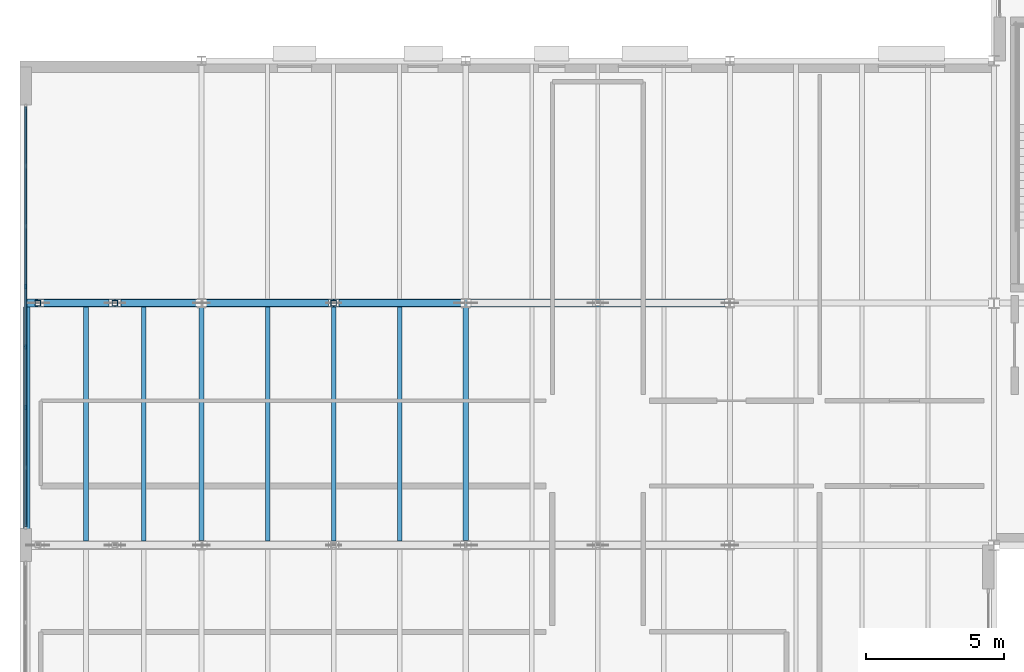
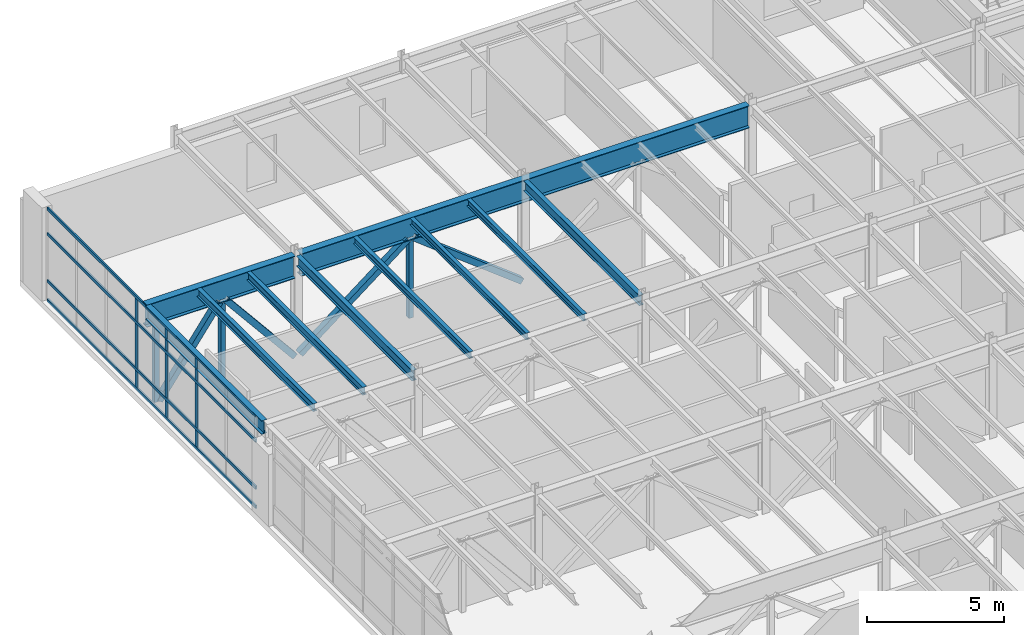
# One storey, part 32 of 88: 14 members, 10 beams, 1 element without a shape of its own.
"""IFC4 building model written with IfcOpenShell, lengths in metres."""

import ifcopenshell
import ifcopenshell.guid

model = None  # the IFC model being written
_history = None  # IfcOwnerHistory: only IFC2X3 demands one
_inside = {}  # id of a spatial element -> (the spatial element, [elements in it])
_under = {}  # id of a project, library or spatial element -> (it, [spatial elements below it])
_declared = {}  # id of a project -> (the project, [libraries it declares])
_typed = {}  # id of a type object -> (the type object, [elements of that type])
_made_of = {}  # id of a material, layer set ... -> (it, [elements and type objects made of it])


def new_model(schema):
    """Start an empty IFC model of exactly this schema.

    Asked for "IFC4X3", IfcOpenShell would pick the latest addendum, in which some entities
    have other attributes; the version numbers below select the first issue.
    IFC2X3 requires an IfcOwnerHistory on every rooted entity: one is made here for all.
    """
    global model, _history
    if schema == "IFC4X3":
        model = ifcopenshell.file(schema_version=(4, 3, 0, 0))
    else:
        model = ifcopenshell.file(schema=schema)
    _inside.clear()
    _under.clear()
    _declared.clear()
    _typed.clear()
    _made_of.clear()
    _history = None
    if model.schema == "IFC2X3":
        org = make("IfcOrganization", Name="unknown")
        user = make(
            "IfcPersonAndOrganization",
            ThePerson=make("IfcPerson", FamilyName="unknown"),
            TheOrganization=org,
        )
        app = make(
            "IfcApplication",
            ApplicationDeveloper=org,
            Version="unknown",
            ApplicationFullName="unknown",
            ApplicationIdentifier="unknown",
        )
        _history = make(
            "IfcOwnerHistory",
            OwningUser=user,
            OwningApplication=app,
            ChangeAction="ADDED",
            CreationDate=0,
        )
    return model


def make(cls, **values):
    """One entity of the class cls with the attributes given. An attribute that is None is left unset."""
    return model.create_entity(
        cls, **{name: value for name, value in values.items() if value is not None}
    )


def rooted(cls, **values):
    """An entity with a GlobalId (a new one), such as an element, a storey or a relation."""
    return make(cls, GlobalId=ifcopenshell.guid.new(), OwnerHistory=_history, **values)


def si_unit(unit_type, name, prefix=None):
    """IfcSIUnit, for example si_unit("LENGTHUNIT", "METRE", prefix="MILLI")."""
    return make("IfcSIUnit", UnitType=unit_type, Prefix=prefix, Name=name)


def assignment(units):
    """IfcUnitAssignment: the units of a project."""
    return None if units is None else make("IfcUnitAssignment", Units=units)


def point(xyz):
    """IfcCartesianPoint."""
    return None if xyz is None else make("IfcCartesianPoint", Coordinates=xyz)


def direction(xyz):
    """IfcDirection."""
    return None if xyz is None else make("IfcDirection", DirectionRatios=xyz)


def frame(location, z_axis=None, x_axis=None):
    """IfcAxis2Placement3D, a coordinate frame: its origin and axes. An axis left out is left unset."""
    return make(
        "IfcAxis2Placement3D",
        Location=point(location),
        Axis=direction(z_axis),
        RefDirection=direction(x_axis),
    )


def frame_2d(location, x_axis=None):
    """IfcAxis2Placement2D, a coordinate frame in the plane: its origin and x axis."""
    return make(
        "IfcAxis2Placement2D", Location=point(location), RefDirection=direction(x_axis)
    )


def origin():
    """The frame at (0, 0, 0) with its axes left unset."""
    return frame((0.0, 0.0, 0.0))


def origin_2d():
    """The frame at (0, 0) in the plane with its x axis left unset."""
    return frame_2d((0.0, 0.0))


def place(relative_to, where):
    """IfcLocalPlacement: puts the frame where relative to a parent placement (None: the world)."""
    return make(
        "IfcLocalPlacement", PlacementRelTo=relative_to, RelativePlacement=where
    )


def context(
    kind, dimensions, precision=None, world=None, true_north=None, identifier=None
):
    """IfcGeometricRepresentationContext, for example the 3D "Model" context."""
    return make(
        "IfcGeometricRepresentationContext",
        ContextIdentifier=identifier,
        ContextType=kind,
        CoordinateSpaceDimension=dimensions,
        Precision=precision,
        WorldCoordinateSystem=world,
        TrueNorth=true_north,
    )


def subcontext(parent, identifier, kind, view, scale=None):
    """IfcGeometricRepresentationSubContext, for example "Body" below "Model"."""
    return make(
        "IfcGeometricRepresentationSubContext",
        ContextIdentifier=identifier,
        ContextType=kind,
        ParentContext=parent,
        TargetScale=scale,
        TargetView=view,
    )


def project(units=None, contexts=None):
    """IfcProject with its units and contexts."""
    return rooted(
        "IfcProject",
        Name="project",
        RepresentationContexts=contexts,
        UnitsInContext=assignment(units),
    )


def spatial(cls, under=None, at=None, **own):
    """A site, building, storey or space (cls), placed at a placement, below another one or the project."""
    s = rooted(cls, ObjectPlacement=at, **own)
    if under is not None:
        _under.setdefault(under.id(), (under, []))[1].append(s)
    return s


def profile(cls, at=None, kind="AREA", **sizes):
    """A parametric profile (cls). Its sizes go by their IFC names, for example OverallWidth=200.0."""
    return make(cls, ProfileType=kind, Position=at, **sizes)


def rectangle(**sizes):
    """IfcRectangleProfileDef."""
    return profile("IfcRectangleProfileDef", **sizes)


def hollow_rectangle(**sizes):
    """IfcRectangleHollowProfileDef."""
    return profile("IfcRectangleHollowProfileDef", **sizes)


def i_section(**sizes):
    """IfcIShapeProfileDef."""
    return profile("IfcIShapeProfileDef", **sizes)


def extrude(swept, where, along, depth):
    """IfcExtrudedAreaSolid: the profile swept, set in the frame where, extruded along a direction by depth."""
    return make(
        "IfcExtrudedAreaSolid",
        SweptArea=swept,
        Position=where,
        ExtrudedDirection=direction(along),
        Depth=depth,
    )


def shape(context_of_items, identifier, shape_type, items):
    """IfcShapeRepresentation: the items that make up one representation, for example the "Body"."""
    return make(
        "IfcShapeRepresentation",
        ContextOfItems=context_of_items,
        RepresentationIdentifier=identifier,
        RepresentationType=shape_type,
        Items=items,
    )


def material(Name=None, Category=None):
    """IfcMaterial."""
    return make("IfcMaterial", Name=Name, Category=Category)


def material_profile(
    of_material, cross_section, Name=None, Category=None, Priority=None
):
    """IfcMaterialProfile: a cross section and its material."""
    return make(
        "IfcMaterialProfile",
        Name=Name,
        Material=of_material,
        Profile=cross_section,
        Priority=Priority,
        Category=Category,
    )


def profile_set(profiles, Name=None, composite=None):
    """IfcMaterialProfileSet."""
    return make(
        "IfcMaterialProfileSet",
        Name=Name,
        MaterialProfiles=profiles,
        CompositeProfile=composite,
    )


def made_of(thing, what):
    """Note that an element or type object is made of a material, layer set ...; save() writes the relation."""
    if what is not None:
        _made_of.setdefault(what.id(), (what, []))[1].append(thing)
    return thing


def type_object(cls, material=None, **own):
    """A type object (cls), such as IfcWallType, which elements share."""
    return made_of(rooted(cls, **own), material)


def element(
    cls,
    number,
    at=None,
    inside=None,
    cuts=None,
    type_object=None,
    material=None,
    context=None,
    identifier="Body",
    shape_type=None,
    held_by="IfcProductDefinitionShape",
    body=None,
    shapes=None,
    **own,
):
    """One element of the class cls, such as IfcWall. Its Tag is "e" and its number.

    at: its placement. inside: the storey or other place that contains it. cuts: it is an
    opening in that element (IfcRelVoidsElement). A single representation is given by context,
    identifier, shape_type and body (its items); several are given by shapes. held_by: the class
    of the entity that holds the representations. save() writes the other relations.
    """
    e = rooted(cls, Tag="e%d" % number, ObjectPlacement=at, **own)
    if body is not None:
        shapes = [shape(context, identifier, shape_type, body)]
    if shapes is not None:
        e.Representation = make(held_by, Representations=shapes)
    if inside is not None:
        _inside.setdefault(inside.id(), (inside, []))[1].append(e)
    if cuts is not None:
        rooted(
            "IfcRelVoidsElement", RelatingBuildingElement=cuts, RelatedOpeningElement=e
        )
    if type_object is not None:
        _typed.setdefault(type_object.id(), (type_object, []))[1].append(e)
    return made_of(e, material)


def aggregate(whole, parts):
    """IfcRelAggregates: a whole, such as a stair, and the parts it consists of."""
    return rooted("IfcRelAggregates", RelatingObject=whole, RelatedObjects=parts)


def save(model, path):
    """Write the relations noted so far, then the file.

    IfcRelAggregates (storeys below a building ...), IfcRelContainedInSpatialStructure (elements
    in a storey), IfcRelDefinesByType, IfcRelAssociatesMaterial and IfcRelDeclares: one each for
    every whole, place, type object, material and project.
    """
    for whole, parts in _under.values():
        aggregate(whole, parts)
    for where, things in _inside.values():
        rooted(
            "IfcRelContainedInSpatialStructure",
            RelatedElements=things,
            RelatingStructure=where,
        )
    for kind, things in _typed.values():
        rooted("IfcRelDefinesByType", RelatedObjects=things, RelatingType=kind)
    for what, things in _made_of.values():
        rooted("IfcRelAssociatesMaterial", RelatedObjects=things, RelatingMaterial=what)
    for by, libraries in _declared.values():
        rooted("IfcRelDeclares", RelatingContext=by, RelatedDefinitions=libraries)
    model.write(path)


model = new_model("IFC4")

# Units and contexts
model_context = context("Model", 3, precision=1e-05, world=origin(), true_north=direction((0.0, 1.0)))
body_context = subcontext(model_context, "Body", "Model", "MODEL_VIEW")
ifc_project = project(units=[si_unit("LENGTHUNIT", "METRE"), si_unit("AREAUNIT", "SQUARE_METRE"), si_unit("VOLUMEUNIT", "CUBIC_METRE"), si_unit("PLANEANGLEUNIT", "RADIAN"), si_unit("MASSUNIT", "GRAM", prefix="KILO")], contexts=[model_context])

# Site, building, storey
site_placement = place(None, origin())
site = spatial("IfcSite", under=ifc_project, at=site_placement, CompositionType="ELEMENT")
building_placement = place(site_placement, origin())
building = spatial("IfcBuilding", under=site, at=building_placement, Name="Sarnbrook Museum", CompositionType="ELEMENT")
storey_placement = place(building_placement, frame((0.0, 0.0, 10.10009765625)))
storey = spatial("IfcBuildingStorey", under=building, at=storey_placement, Name="L02", CompositionType="ELEMENT", Elevation=10.10009765625)

# Beams
ifc_material_1 = material(Name="Structural Steel Grade 300PLUS (AS/NZS 3679.1, fy = 280 MPa for 17 < t <= 40 mm, 300 MPa for t <= 17 mm)", Category="steel")
ifc_material_profile_1 = material_profile(ifc_material_1, i_section(OverallWidth=0.18994140625, OverallDepth=0.45703125, WebThickness=0.009033203125, FlangeThickness=0.014404296875, FilletRadius=0.011474609375, at=origin_2d()), Name="460UB74.6")
ifc_profile_set_1 = profile_set([ifc_material_profile_1], Name="Structural Steel Grade 300PLUS (AS/NZS 3679.1, fy = 280 MPa for 17 < t <= 40 mm, 300 MPa for t <= 17 mm)")
beam_type_1 = type_object("IfcBeamType", Name="BM-UB460", PredefinedType="BEAM", material=ifc_profile_set_1)
for number, where, z_axis, x_axis, name in (
    (1, (13.60009765625, 74.5634765625, 3.991455078125), (0.0, 1.0, 0.0), (-1.0, 0.0, 0.0), "Girder 2:J-K L02"),
    (2, (23.199951171875, 74.5634765625, 3.991455078125), (0.0, 1.0, 0.0), (-1.0, 0.0, 0.0), "Girder 3:J-K L02"),
):
    element("IfcBeam", number, at=place(storey_placement, frame(where, z_axis=z_axis, x_axis=x_axis)), inside=storey, type_object=beam_type_1, Name=name, PredefinedType="BEAM", context=body_context, shape_type="SweptSolid", body=[
        extrude(i_section(OverallWidth=0.18994140625, OverallDepth=0.45703125, WebThickness=0.009033203125, FlangeThickness=0.014404296875, FilletRadius=0.011474609375, at=origin_2d()), origin(), (0.0, 0.0, 1.0), 8.47314453125),
    ])
ifc_material_profile_2 = material_profile(ifc_material_1, i_section(OverallWidth=0.22802734375, OverallDepth=0.60693359375, WebThickness=0.01123046875, FlangeThickness=0.017333984375, FilletRadius=0.013916015625, at=origin_2d()), Name="610UB113")
ifc_profile_set_2 = profile_set([ifc_material_profile_2], Name="Structural Steel Grade 300PLUS (AS/NZS 3679.1, fy = 280 MPa for 17 < t <= 40 mm, 300 MPa for t <= 17 mm)")
beam_type_2 = type_object("IfcBeamType", Name="BM-UB610", PredefinedType="BEAM", material=ifc_profile_set_2)
beam_1_placement = place(storey_placement, frame((7.25, 74.550048828125, 3.91650390625), z_axis=(0.0, 1.0, 0.0), x_axis=(-1.0, 0.0, 0.0)))
element("IfcBeam", 3, at=beam_1_placement, inside=storey, type_object=beam_type_2, Name="Cantilever Gallery Joist L02 X=7.25", PredefinedType="BEAM", context=body_context, shape_type="SweptSolid", body=[
    extrude(i_section(OverallWidth=0.22802734375, OverallDepth=0.60693359375, WebThickness=0.01123046875, FlangeThickness=0.017333984375, FilletRadius=0.013916015625, at=origin_2d()), origin(), (0.0, 0.0, 1.0), 8.5),
])

# Members
ifc_material_2 = material(Name="Structural Steel Hollow Section Grade C350L0 (AS/NZS 1163, fy = 350 MPa)", Category="steel")
ifc_material_profile_3 = material_profile(ifc_material_2, hollow_rectangle(XDim=0.199951171875, YDim=0.199951171875, WallThickness=0.010009765625, at=origin_2d()), Name="200x200x10.0SHS")
ifc_profile_set_3 = profile_set([ifc_material_profile_3], Name="Structural Steel Hollow Section Grade C350L0 (AS/NZS 1163, fy = 350 MPa)")
member_type_1 = type_object("IfcMemberType", Name="CH-SHS200", PredefinedType="CHORD", material=ifc_profile_set_3)
for number, where, z_axis, x_axis, name in (
    (4, (18.39990234375, 83.199951171875, -0.300048828125), (0.0, 0.0, 1.0), (1.0, 0.0, 0.0), "Transfer Truss TT4 Web Post 3"),
    (5, (10.449951171875, 83.199951171875, -0.300048828125), (0.0, 0.0, 1.0), (1.0, 0.0, 0.0), "Transfer Truss TT4 Web Post 5"),
    (6, (7.64990234375, 83.199951171875, -0.300048828125), (0.0, 0.0, 1.0), (1.0, 0.0, 0.0), "Transfer Truss TT4 Web Post 6"),
):
    element("IfcMember", number, at=place(storey_placement, frame(where, z_axis=z_axis, x_axis=x_axis)), inside=storey, type_object=member_type_1, Name=name, PredefinedType="CHORD", context=body_context, shape_type="SweptSolid", body=[
        extrude(hollow_rectangle(XDim=0.199951171875, YDim=0.199951171875, WallThickness=0.010009765625, at=origin_2d()), origin(), (0.0, 0.0, 1.0), 3.5400390625),
    ])

# Curtain wall, members
ifc_material_3 = material(Name="Thermally Broken Anodised Aluminium 6063-T6", Category="aluminium")
curtain_wall_type = type_object("IfcCurtainWallType", Name="CurtainWall_GalleryRibbon", PredefinedType="NOTDEFINED", material=ifc_material_3)
curtain_wall_placement = place(storey_placement, origin())
curtain_wall = element("IfcCurtainWall", 7, at=curtain_wall_placement, inside=storey, type_object=curtain_wall_type, Name="Gallery Ribbon Curtain Wall L02-8.1", PredefinedType="NOTDEFINED")
ifc_material_profile_4 = material_profile(ifc_material_3, rectangle(XDim=0.06005859375, YDim=0.159912109375, at=origin_2d()), Name="ALU MULLION 60x160")
ifc_profile_set_4 = profile_set([ifc_material_profile_4], Name="Thermally Broken Anodised Aluminium 6063-T6")
member_type_2 = type_object("IfcMemberType", Name="CW_Mullion_150x65", PredefinedType="MULLION", material=ifc_profile_set_4)
member_1_placement = place(storey_placement, frame((7.2099609375, 83.797119140625, 0.0), z_axis=(0.0, 0.0, 1.0), x_axis=(1.0, 0.0, 0.0)))
member_1 = element("IfcMember", 8, at=member_1_placement, type_object=member_type_2, Name="Gallery Ribbon Curtain Wall L02-8.1 Mullion 4", PredefinedType="MULLION", context=body_context, shape_type="SweptSolid", body=[
    extrude(rectangle(XDim=0.06005859375, YDim=0.159912109375, at=origin_2d()), origin(), (0.0, 0.0, 1.0), 4.159912109375),
])
member_2_placement = place(storey_placement, frame((7.2099609375, 81.602783203125, 0.0), z_axis=(0.0, 0.0, 1.0), x_axis=(1.0, 0.0, 0.0)))
member_2 = element("IfcMember", 9, at=member_2_placement, type_object=member_type_2, Name="Gallery Ribbon Curtain Wall L02-8.1 Mullion 5", PredefinedType="MULLION", context=body_context, shape_type="SweptSolid", body=[
    extrude(rectangle(XDim=0.06005859375, YDim=0.159912109375, at=origin_2d()), origin(), (0.0, 0.0, 1.0), 4.159912109375),
])
member_3_placement = place(storey_placement, frame((7.2099609375, 79.40869140625, 0.0), z_axis=(0.0, 0.0, 1.0), x_axis=(1.0, 0.0, 0.0)))
member_3 = element("IfcMember", 10, at=member_3_placement, type_object=member_type_2, Name="Gallery Ribbon Curtain Wall L02-8.1 Mullion 6", PredefinedType="MULLION", context=body_context, shape_type="SweptSolid", body=[
    extrude(rectangle(XDim=0.06005859375, YDim=0.159912109375, at=origin_2d()), origin(), (0.0, 0.0, 1.0), 4.159912109375),
])
ifc_material_profile_5 = material_profile(ifc_material_3, rectangle(XDim=0.06494140625, YDim=0.139892578125, at=origin_2d()), Name="ALU TRANSOM 65x140")
ifc_profile_set_5 = profile_set([ifc_material_profile_5], Name="Thermally Broken Anodised Aluminium 6063-T6")
member_type_3 = type_object("IfcMemberType", Name="CW_Transom_150x65", PredefinedType="USERDEFINED", material=ifc_profile_set_5)
member_4_placement = place(storey_placement, frame((7.2099609375, 90.330078125, 0.039794921875), z_axis=(0.0, -1.0, 0.0), x_axis=(1.0, 0.0, 0.0)))
member_4 = element("IfcMember", 11, at=member_4_placement, type_object=member_type_3, Name="Gallery Ribbon Curtain Wall L02-8.1 Transom 1", ObjectType="TRANSOM", PredefinedType="USERDEFINED", context=body_context, shape_type="SweptSolid", body=[
    extrude(rectangle(XDim=0.06494140625, YDim=0.139892578125, at=origin_2d()), origin(), (0.0, 0.0, 1.0), 15.260009765625),
])
member_5_placement = place(storey_placement, frame((7.2099609375, 90.330078125, 0.89990234375), z_axis=(0.0, -1.0, 0.0), x_axis=(1.0, 0.0, 0.0)))
member_5 = element("IfcMember", 12, at=member_5_placement, type_object=member_type_3, Name="Gallery Ribbon Curtain Wall L02-8.1 Transom 2", ObjectType="TRANSOM", PredefinedType="USERDEFINED", context=body_context, shape_type="SweptSolid", body=[
    extrude(rectangle(XDim=0.06494140625, YDim=0.139892578125, at=origin_2d()), origin(), (0.0, 0.0, 1.0), 15.260009765625),
])
member_6_placement = place(storey_placement, frame((7.2099609375, 90.330078125, 3.0), z_axis=(0.0, -1.0, 0.0), x_axis=(1.0, 0.0, 0.0)))
member_6 = element("IfcMember", 13, at=member_6_placement, type_object=member_type_3, Name="Gallery Ribbon Curtain Wall L02-8.1 Transom 3", ObjectType="TRANSOM", PredefinedType="USERDEFINED", context=body_context, shape_type="SweptSolid", body=[
    extrude(rectangle(XDim=0.06494140625, YDim=0.139892578125, at=origin_2d()), origin(), (0.0, 0.0, 1.0), 15.260009765625),
])
member_7_placement = place(storey_placement, frame((7.2099609375, 90.330078125, 4.119873046875), z_axis=(0.0, -1.0, 0.0), x_axis=(1.0, 0.0, 0.0)))
member_7 = element("IfcMember", 14, at=member_7_placement, type_object=member_type_3, Name="Gallery Ribbon Curtain Wall L02-8.1 Transom 4", ObjectType="TRANSOM", PredefinedType="USERDEFINED", context=body_context, shape_type="SweptSolid", body=[
    extrude(rectangle(XDim=0.06494140625, YDim=0.139892578125, at=origin_2d()), origin(), (0.0, 0.0, 1.0), 15.260009765625),
])
aggregate(curtain_wall, [member_1, member_2, member_3, member_4, member_5, member_6, member_7])

# Beams
ifc_material_profile_6 = material_profile(ifc_material_1, i_section(OverallWidth=0.1650390625, OverallDepth=0.303955078125, WebThickness=0.006103515625, FlangeThickness=0.01025390625, FilletRadius=0.011474609375, at=origin_2d()), Name="310UB40.4")
ifc_profile_set_6 = profile_set([ifc_material_profile_6], Name="Structural Steel Grade 300PLUS (AS/NZS 3679.1, fy = 280 MPa for 17 < t <= 40 mm, 300 MPa for t <= 17 mm)")
beam_type_3 = type_object("IfcBeamType", Name="JS-UB310", PredefinedType="JOIST", material=ifc_profile_set_6)
for number, where, z_axis, x_axis, name in (
    (15, (16.0, 74.550048828125, 4.06787109375), (0.0, 1.0, 0.0), (-1.0, 0.0, 0.0), "Composite Floor Joist 2J-1 L02"),
    (16, (18.39990234375, 74.550048828125, 4.06787109375), (0.0, 1.0, 0.0), (-1.0, 0.0, 0.0), "Composite Floor Joist 2J-2 L02"),
    (17, (20.800048828125, 74.550048828125, 4.06787109375), (0.0, 1.0, 0.0), (-1.0, 0.0, 0.0), "Composite Floor Joist 2J-3 L02"),
):
    element("IfcBeam", number, at=place(storey_placement, frame(where, z_axis=z_axis, x_axis=x_axis)), inside=storey, type_object=beam_type_3, Name=name, PredefinedType="JOIST", context=body_context, shape_type="SweptSolid", body=[
        extrude(i_section(OverallWidth=0.1650390625, OverallDepth=0.303955078125, WebThickness=0.006103515625, FlangeThickness=0.01025390625, FilletRadius=0.011474609375, at=origin_2d()), origin(), (0.0, 0.0, 1.0), 8.5),
    ])
ifc_material_profile_7 = material_profile(ifc_material_1, i_section(OverallWidth=0.1708984375, OverallDepth=0.35595703125, WebThickness=0.00732421875, FlangeThickness=0.011474609375, FilletRadius=0.011474609375, at=origin_2d()), Name="360UB50.7")
ifc_profile_set_7 = profile_set([ifc_material_profile_7], Name="Structural Steel Grade 300PLUS (AS/NZS 3679.1, fy = 280 MPa for 17 < t <= 40 mm, 300 MPa for t <= 17 mm)")
beam_type_4 = type_object("IfcBeamType", Name="JS-UB360", PredefinedType="JOIST", material=ifc_profile_set_7)
for number, where, z_axis, x_axis, name in (
    (18, (9.39990234375, 74.550048828125, 4.0419921875), (0.0, 1.0, 0.0), (-1.0, 0.0, 0.0), "Cantilever Gallery Joist L02 X=9.4"),
    (19, (11.5, 74.550048828125, 4.0419921875), (0.0, 1.0, 0.0), (-1.0, 0.0, 0.0), "Cantilever Gallery Joist L02 X=11.5"),
):
    element("IfcBeam", number, at=place(storey_placement, frame(where, z_axis=z_axis, x_axis=x_axis)), inside=storey, type_object=beam_type_4, Name=name, PredefinedType="JOIST", context=body_context, shape_type="SweptSolid", body=[
        extrude(i_section(OverallWidth=0.1708984375, OverallDepth=0.35595703125, WebThickness=0.00732421875, FlangeThickness=0.011474609375, FilletRadius=0.011474609375, at=origin_2d()), origin(), (0.0, 0.0, 1.0), 8.5),
    ])

# Members
ifc_material_profile_8 = material_profile(ifc_material_2, hollow_rectangle(XDim=0.25, YDim=0.25, WallThickness=0.012451171875, at=origin_2d()), Name="250x250x12.5SHS")
ifc_profile_set_8 = profile_set([ifc_material_profile_8], Name="Structural Steel Hollow Section Grade C350L0 (AS/NZS 1163, fy = 350 MPa)")
member_type_4 = type_object("IfcMemberType", Name="MB-SHS250", PredefinedType="BRACE", material=ifc_profile_set_8)
for number, where, z_axis, x_axis, name in (
    (20, (23.080078125, 83.199951171875, -0.300048828125), (-0.789912082427, 0.0, 0.613220108962), (0.0, -1.0, 0.0), "Transfer Truss TT4 Web Diagonal 3"),
    (21, (18.280029296875, 83.199951171875, 3.239990234375), (-0.789912082427, 0.0, -0.613220108962), (0.0, -1.0, 0.0), "Transfer Truss TT4 Web Diagonal 4"),
):
    element("IfcMember", number, at=place(storey_placement, frame(where, z_axis=z_axis, x_axis=x_axis)), inside=storey, type_object=member_type_4, Name=name, PredefinedType="BRACE", context=body_context, shape_type="SweptSolid", body=[
        extrude(hollow_rectangle(XDim=0.25, YDim=0.25, WallThickness=0.012451171875, at=origin_2d()), origin(), (0.0, 0.0, 1.0), 5.77294921875),
    ])
member_8_placement = place(storey_placement, frame((13.47998046875, 83.199951171875, -0.300048828125), z_axis=(-0.635002969329, 0.0, 0.772509695048), x_axis=(0.0, -1.0, 0.0)))
element("IfcMember", 22, at=member_8_placement, inside=storey, type_object=member_type_4, Name="Transfer Truss TT4 Web Diagonal 5", PredefinedType="BRACE", context=body_context, shape_type="SweptSolid", body=[
    extrude(hollow_rectangle(XDim=0.25, YDim=0.25, WallThickness=0.012451171875, at=origin_2d()), origin(), (0.0, 0.0, 1.0), 4.58251953125),
])
member_9_placement = place(storey_placement, frame((10.330078125, 83.199951171875, 3.239990234375), z_axis=(-0.585996453635, 0.0, -0.810313616032), x_axis=(0.0, -1.0, 0.0)))
element("IfcMember", 23, at=member_9_placement, inside=storey, type_object=member_type_4, Name="Transfer Truss TT4 Web Diagonal 6", PredefinedType="BRACE", context=body_context, shape_type="SweptSolid", body=[
    extrude(hollow_rectangle(XDim=0.25, YDim=0.25, WallThickness=0.012451171875, at=origin_2d()), origin(), (0.0, 0.0, 1.0), 4.36865234375),
])

# Beams
ifc_material_4 = material(Name="Structural Steel Grade 350L0 (AS/NZS 3678, fy = 340 MPa for 20 < t <= 40 mm)", Category="steel")
ifc_material_profile_9 = material_profile(ifc_material_4, i_section(OverallWidth=0.300048828125, OverallDepth=1.0, WebThickness=0.01611328125, FlangeThickness=0.02490234375, at=origin_2d()), Name="1000WB215")
ifc_profile_set_9 = profile_set([ifc_material_profile_9], Name="Structural Steel Grade 350L0 (AS/NZS 3678, fy = 340 MPa for 20 < t <= 40 mm)")
beam_type_5 = type_object("IfcBeamType", Name="TT-CHORD", PredefinedType="BEAM", material=ifc_profile_set_9)
beam_2_placement = place(storey_placement, frame((32.679931640625, 83.199951171875, 3.719970703125), z_axis=(-1.0, 0.0, 0.0), x_axis=(0.0, -1.0, 0.0)))
element("IfcBeam", 24, at=beam_2_placement, inside=storey, type_object=beam_type_5, Name="Cantilever Transfer Truss TT4 Top Back-Span Chord", PredefinedType="BEAM", context=body_context, shape_type="SweptSolid", body=[
    extrude(i_section(OverallWidth=0.300048828125, OverallDepth=1.0, WebThickness=0.01611328125, FlangeThickness=0.02490234375, at=origin_2d()), origin(), (0.0, 0.0, 1.0), 18.9599609375),
])
beam_3_placement = place(storey_placement, frame((13.47998046875, 83.199951171875, 3.719970703125), z_axis=(-1.0, 0.0, 0.0), x_axis=(0.0, -1.0, 0.0)))
element("IfcBeam", 25, at=beam_3_placement, inside=storey, type_object=beam_type_5, Name="Cantilever Transfer Truss TT4 Top Chord", PredefinedType="BEAM", context=body_context, shape_type="SweptSolid", body=[
    extrude(i_section(OverallWidth=0.300048828125, OverallDepth=1.0, WebThickness=0.01611328125, FlangeThickness=0.02490234375, at=origin_2d()), origin(), (0.0, 0.0, 1.0), 6.280029296875),
])

save(model, "model.ifc")
